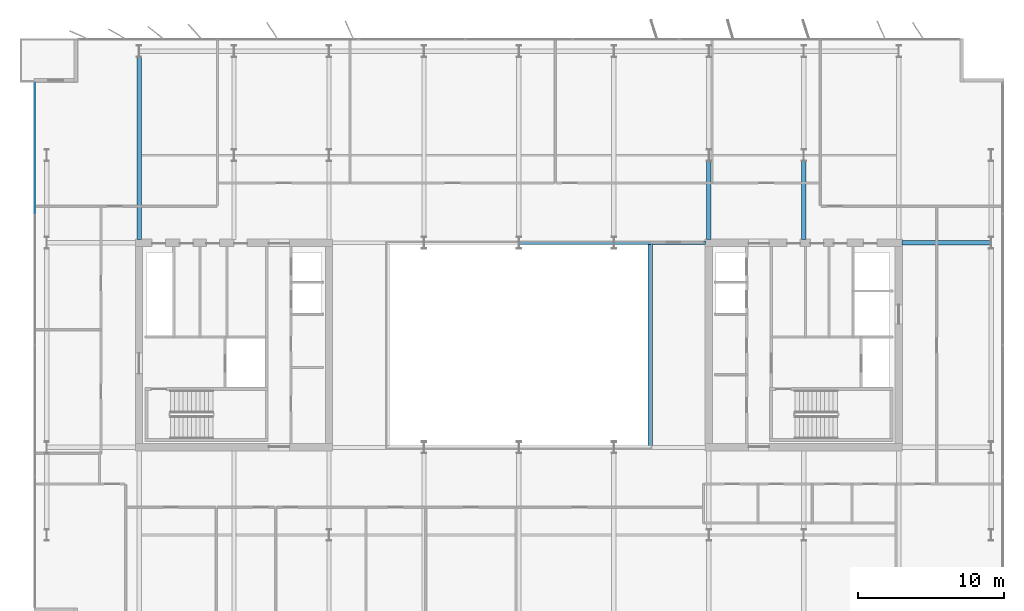
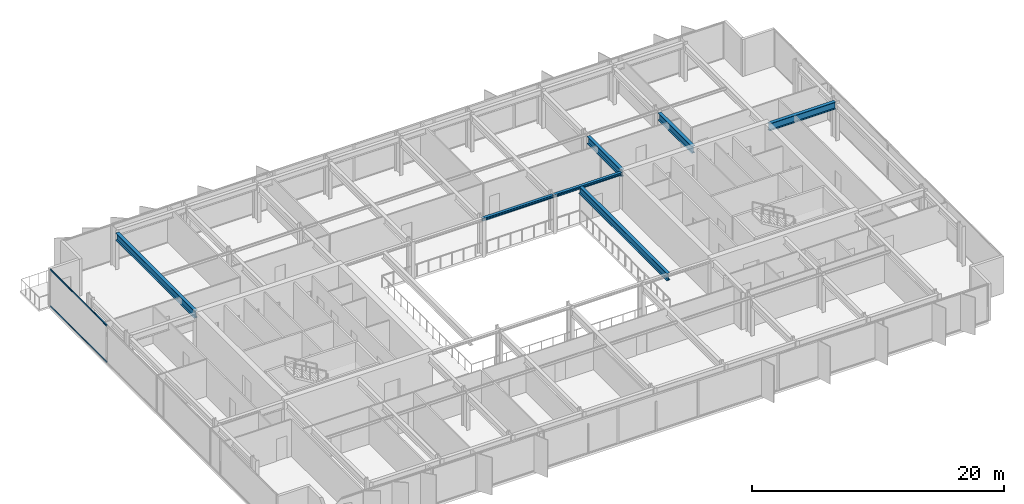
# One storey, part 9 of 23: 7 beams, 2 members, 1 element without a shape of its own.
"""IFC4 building model written with IfcOpenShell, lengths in metres."""

from ifc_helpers import new_model, si_unit, direction, frame, origin, origin_2d, place, context, subcontext, project, spatial, rectangle, i_section, extrude, material, layer, layer_set, material_profile, profile_set, type_object, element, aggregate, save


model = new_model("IFC4")

# Units and contexts
model_context = context("Model", 3, precision=1e-05, world=origin(), true_north=direction((0.0, 1.0)))
body_context = subcontext(model_context, "Body", "Model", "MODEL_VIEW")
ifc_project = project(units=[si_unit("LENGTHUNIT", "METRE"), si_unit("AREAUNIT", "SQUARE_METRE"), si_unit("VOLUMEUNIT", "CUBIC_METRE"), si_unit("PLANEANGLEUNIT", "RADIAN"), si_unit("MASSUNIT", "GRAM", prefix="KILO")], contexts=[model_context])

# Site, building, storey
site_placement = place(None, origin())
site = spatial("IfcSite", under=ifc_project, at=site_placement, CompositionType="ELEMENT")
building_placement = place(site_placement, origin())
building = spatial("IfcBuilding", under=site, at=building_placement, Name="Putna Gate Headquarters", CompositionType="ELEMENT")
storey_placement = place(building_placement, frame((0.0, 0.0, 217.60009765625)))
storey = spatial("IfcBuildingStorey", under=building, at=storey_placement, Name="L54", CompositionType="ELEMENT", Elevation=217.60009765625)

# Beams
ifc_material_1 = material(Name="Steel S355J2", Category="steel")
ifc_material_profile_1 = material_profile(ifc_material_1, i_section(OverallWidth=0.260009765625, OverallDepth=0.260009765625, WebThickness=0.010009765625, FlangeThickness=0.017578125, at=origin_2d()), Name="Steel S355J2")
ifc_profile_set_1 = profile_set([ifc_material_profile_1], Name="Steel S355J2")
beam_type_1 = type_object("IfcBeamType", Name="BM-ATRIUM-HEB260", PredefinedType="BEAM", material=ifc_profile_set_1)
beam_1_placement = place(storey_placement, frame((39.006103515625, 33.0, 3.449951171875), z_axis=(1.0, 0.0, 0.0), x_axis=(0.0, 1.0, 0.0)))
element("IfcBeam", 1, at=beam_1_placement, inside=storey, type_object=beam_type_1, Name="L54 Atrium Edge Beam AN3", PredefinedType="BEAM", context=body_context, shape_type="SweptSolid", body=[
    extrude(i_section(OverallWidth=0.260009765625, OverallDepth=0.260009765625, WebThickness=0.010009765625, FlangeThickness=0.017578125, at=origin_2d()), origin(), (0.0, 0.0, 1.0), 6.48779296875),
])
beam_2_placement = place(storey_placement, frame((45.506103515625, 33.0, 3.449951171875), z_axis=(1.0, 0.0, 0.0), x_axis=(0.0, 1.0, 0.0)))
element("IfcBeam", 2, at=beam_2_placement, inside=storey, type_object=beam_type_1, Name="L54 Atrium Edge Beam AN4", PredefinedType="BEAM", context=body_context, shape_type="SweptSolid", body=[
    extrude(i_section(OverallWidth=0.260009765625, OverallDepth=0.260009765625, WebThickness=0.010009765625, FlangeThickness=0.017578125, at=origin_2d()), origin(), (0.0, 0.0, 1.0), 6.2587890625),
])
ifc_material_profile_2 = material_profile(ifc_material_1, i_section(OverallWidth=0.300048828125, OverallDepth=0.699951171875, WebThickness=0.01708984375, FlangeThickness=0.031982421875, at=origin_2d()), Name="Steel S355J2")
ifc_profile_set_2 = profile_set([ifc_material_profile_2], Name="Steel S355J2")
beam_type_2 = type_object("IfcBeamType", Name="BM-GIRD-B-HEB700", PredefinedType="USERDEFINED", material=ifc_profile_set_2)
beam_3_placement = place(storey_placement, frame((65.235107421875, 33.0, 3.22998046875), z_axis=(1.0, 0.0, 0.0), x_axis=(0.0, 1.0, 0.0)))
element("IfcBeam", 3, at=beam_3_placement, inside=storey, type_object=beam_type_2, Name="L54 East Wing Girder Y33", ObjectType="GIRDER", PredefinedType="USERDEFINED", context=body_context, shape_type="SweptSolid", body=[
    extrude(i_section(OverallWidth=0.300048828125, OverallDepth=0.699951171875, WebThickness=0.01708984375, FlangeThickness=0.031982421875, at=origin_2d()), origin(), (0.0, 0.0, 1.0), 6.078857421875),
])
beam_4_placement = place(storey_placement, frame((13.0, 33.235107421875, 3.22998046875), z_axis=(0.0, 1.0, 0.0), x_axis=(-1.0, 0.0, 0.0)))
element("IfcBeam", 4, at=beam_4_placement, inside=storey, type_object=beam_type_2, Name="L54 North Primary Girder X13", ObjectType="GIRDER", PredefinedType="USERDEFINED", context=body_context, shape_type="SweptSolid", body=[
    extrude(i_section(OverallWidth=0.300048828125, OverallDepth=0.699951171875, WebThickness=0.01708984375, FlangeThickness=0.031982421875, at=origin_2d()), origin(), (0.0, 0.0, 1.0), 12.489990234375),
])
for number, where, z_axis, x_axis, name in (
    (5, (52.0, 33.235107421875, 3.22998046875), (0.0, 1.0, 0.0), (-1.0, 0.0, 0.0), "L54 North Primary Girder X52-1"),
    (6, (58.5, 33.235107421875, 3.22998046875), (0.0, 1.0, 0.0), (-1.0, 0.0, 0.0), "L54 North Primary Girder X58-1"),
):
    element("IfcBeam", number, at=place(storey_placement, frame(where, z_axis=z_axis, x_axis=x_axis)), inside=storey, type_object=beam_type_2, Name=name, ObjectType="GIRDER", PredefinedType="USERDEFINED", context=body_context, shape_type="SweptSolid", body=[
        extrude(i_section(OverallWidth=0.300048828125, OverallDepth=0.699951171875, WebThickness=0.01708984375, FlangeThickness=0.031982421875, at=origin_2d()), origin(), (0.0, 0.0, 1.0), 5.369873046875),
    ])
beam_5_placement = place(storey_placement, frame((48.0, 19.010009765625, 3.22998046875), z_axis=(0.0, 1.0, 0.0), x_axis=(-1.0, 0.0, 0.0)))
element("IfcBeam", 7, at=beam_5_placement, inside=storey, type_object=beam_type_2, Name="L54 Atrium Trim Girder AE", ObjectType="GIRDER", PredefinedType="USERDEFINED", context=body_context, shape_type="SweptSolid", body=[
    extrude(i_section(OverallWidth=0.300048828125, OverallDepth=0.699951171875, WebThickness=0.01708984375, FlangeThickness=0.031982421875, at=origin_2d()), origin(), (0.0, 0.0, 1.0), 13.97998046875),
])

# Curtain wall, members
ifc_material_2 = material(Name="Anodised bronze aluminium curtain wall", Category="aluminium")
ifc_layer = layer(ifc_material_2, 0.139892578125)
ifc_layer_set = layer_set([ifc_layer], Name="Anodised bronze aluminium curtain wall")
curtain_wall_type = type_object("IfcCurtainWallType", Name="CW-SYS-Z4", PredefinedType="USERDEFINED", material=ifc_layer_set)
curtain_wall_placement = place(storey_placement, origin())
curtain_wall = element("IfcCurtainWall", 8, at=curtain_wall_placement, inside=storey, type_object=curtain_wall_type, Name="L54 West Curtain Wall", ObjectType="STICK CURTAIN WALL", PredefinedType="USERDEFINED")
ifc_material_3 = material(Name="Anodised bronze aluminium EN AW-6060", Category="aluminium")
ifc_material_profile_3 = material_profile(ifc_material_3, rectangle(XDim=0.06005859375, YDim=0.10009765625, at=origin_2d()), Name="Anodised bronze aluminium EN AW-6060")
ifc_profile_set_3 = profile_set([ifc_material_profile_3], Name="Anodised bronze aluminium EN AW-6060")
member_type = type_object("IfcMemberType", Name="TRAN-CWT-4", PredefinedType="USERDEFINED", material=ifc_profile_set_3)
member_1_placement = place(storey_placement, frame((5.8798828125, 35.030029296875, 0.02978515625), z_axis=(0.0, 1.0, 0.0), x_axis=(-1.0, 0.0, 0.0)))
member_1 = element("IfcMember", 9, at=member_1_placement, type_object=member_type, Name="CWS-4 transom 4.1", ObjectType="TRANSOM", PredefinedType="USERDEFINED", context=body_context, shape_type="SweptSolid", body=[
    extrude(rectangle(XDim=0.06005859375, YDim=0.10009765625, at=origin_2d()), origin(), (0.0, 0.0, 1.0), 8.909912109375),
])
member_2_placement = place(storey_placement, frame((5.8798828125, 35.030029296875, 3.5498046875), z_axis=(0.0, 1.0, 0.0), x_axis=(-1.0, 0.0, 0.0)))
member_2 = element("IfcMember", 10, at=member_2_placement, type_object=member_type, Name="CWS-4 transom 4.2", ObjectType="TRANSOM", PredefinedType="USERDEFINED", context=body_context, shape_type="SweptSolid", body=[
    extrude(rectangle(XDim=0.06005859375, YDim=0.10009765625, at=origin_2d()), origin(), (0.0, 0.0, 1.0), 8.909912109375),
])
aggregate(curtain_wall, [member_1, member_2])

save(model, "model.ifc")
